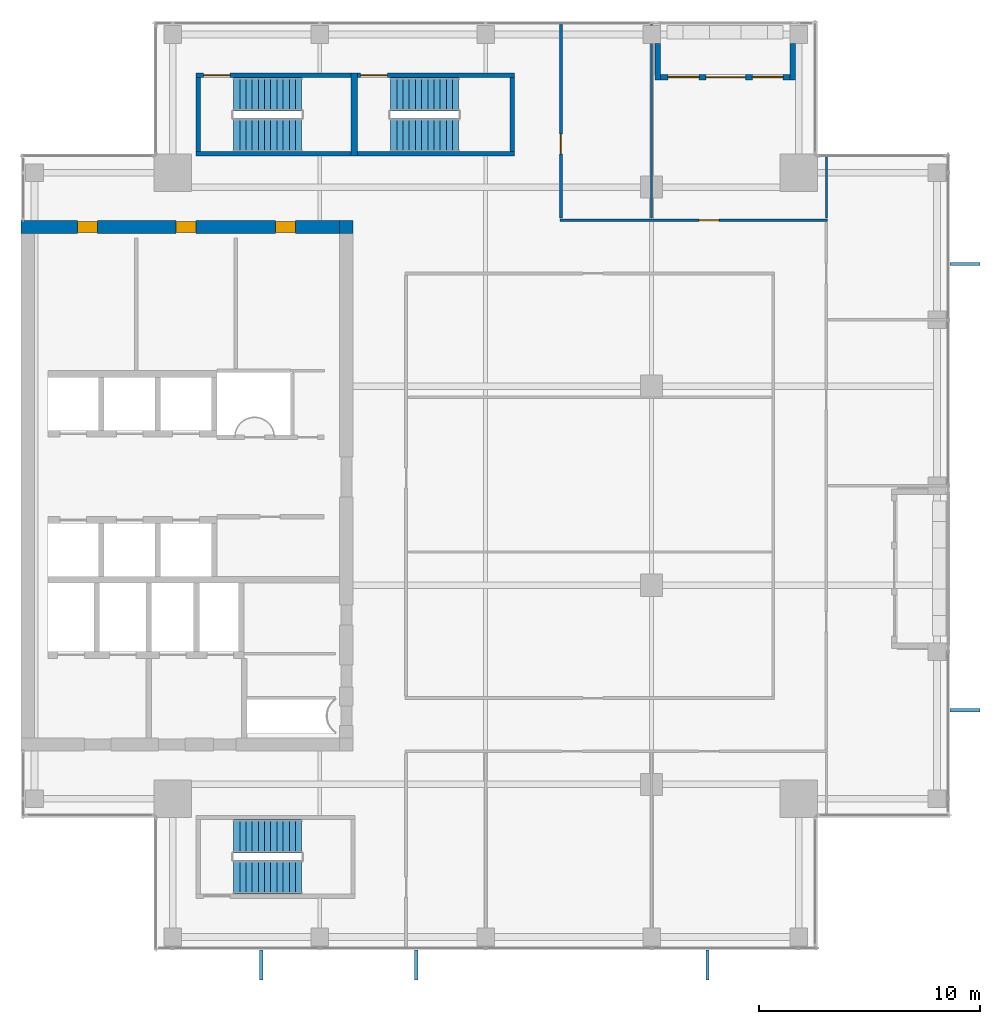
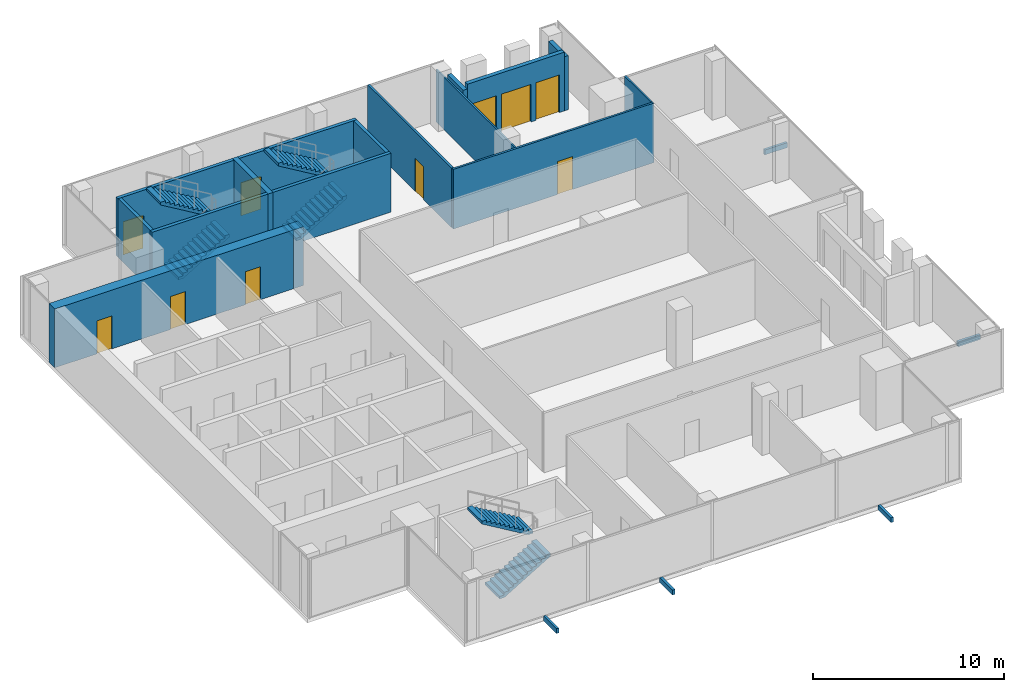
# One storey, part 26 of 29: 16 walls, 8 doors, 6 stair flights, 5 discrete accessories, 2 windows, 10 openings, 3 elements without a shape of their own.
"""IFC4 building model written with IfcOpenShell, lengths in metres."""

from ifc_helpers import new_model, si_unit, direction, frame, frame_2d, origin, origin_2d, place, context, subcontext, project, spatial, polyline, rectangle, outline, extrude, source, transform, mapped, material, layer, layer_set, type_object, element, fill, aggregate, save


model = new_model("IFC4")

# Units and contexts
model_context = context("Model", 3, precision=1e-05, world=origin(), true_north=direction((0.0, 1.0)))
body_context = subcontext(model_context, "Body", "Model", "MODEL_VIEW")
ifc_project = project(units=[si_unit("LENGTHUNIT", "METRE"), si_unit("AREAUNIT", "SQUARE_METRE"), si_unit("VOLUMEUNIT", "CUBIC_METRE"), si_unit("PLANEANGLEUNIT", "RADIAN"), si_unit("MASSUNIT", "GRAM", prefix="KILO")], contexts=[model_context])

# Site, building, storey
site_placement = place(None, origin())
site = spatial("IfcSite", under=ifc_project, at=site_placement, CompositionType="ELEMENT")
building_placement = place(site_placement, origin())
building = spatial("IfcBuilding", under=site, at=building_placement, Name="Khomas Fold Tower", CompositionType="ELEMENT")
storey_placement = place(building_placement, frame((0.0, 0.0, 290.199951171875)))
storey = spatial("IfcBuildingStorey", under=building, at=storey_placement, Name="L65", CompositionType="ELEMENT", Elevation=290.199951171875)

# Wall, opening, door
ifc_material_1 = material(Name="Concrete C50/60", Category="concrete")
ifc_layer_1 = layer(ifc_material_1, 0.199951171875)
ifc_layer_set_1 = layer_set([ifc_layer_1], Name="Concrete C50/60")
wall_type_1 = type_object("IfcWallType", Name="Stair wall 200", PredefinedType="SHEAR", material=ifc_layer_set_1)
shared_shape_1 = source(origin(), body_context, "Body", "SweptSolid", [
    extrude(rectangle(XDim=7.0, YDim=0.199951171875, at=frame_2d((3.5, 0.0))), origin(), (0.0, 0.0, 1.0), 3.75),
])
wall_1_placement = place(storey_placement, frame((13.89990234375, 45.550048828125, 0.0), z_axis=(0.0, 0.0, 1.0), x_axis=(1.0, 0.0, 0.0)))
wall_1 = element("IfcWall", 1, at=wall_1_placement, inside=storey, type_object=wall_type_1, Name="Stair wall SW-ST1-N", PredefinedType="SHEAR", context=body_context, shape_type="MappedRepresentation", body=[
    mapped(shared_shape_1, transform((0.0, 0.0, 0.0))),
])
shared_shape_2 = source(origin(), body_context, "Body", "SweptSolid", [
    extrude(rectangle(XDim=1.199951171875, YDim=2.10009765625, at=frame_2d((0.60009765625, 1.050048828125))), frame((0.0, 0.10986328125, 0.0), z_axis=(0.0, -1.0, 0.0), x_axis=(1.0, 0.0, 0.0)), (0.0, 0.0, 1.0), 0.219970703125),
])
opening_1_placement = place(wall_1_placement, frame((0.35009765625, 0.0, 0.0)))
opening_1 = element("IfcOpeningElement", 2, at=opening_1_placement, cuts=wall_1, Name="Opening SD-ST1", PredefinedType="OPENING", context=body_context, shape_type="MappedRepresentation", body=[
    mapped(shared_shape_2, transform((0.0, 0.0, 0.0))),
])
ifc_material_2 = material(Name="Steel door leaf", Category="steel")
door_type_1 = type_object("IfcDoorType", Name="Stair door 1200x2100 left-hand", OperationType="SINGLE_SWING_LEFT", PredefinedType="DOOR", material=ifc_material_2)
shared_shape_3 = source(origin(), body_context, "Body", "SweptSolid", [
    extrude(rectangle(XDim=1.199951171875, YDim=2.10009765625, at=frame_2d((0.60009765625, 1.050048828125))), frame((0.0, 0.02490234375, 0.0), z_axis=(0.0, -1.0, 0.0), x_axis=(1.0, 0.0, 0.0)), (0.0, 0.0, 1.0), 0.050048828125),
])
door_1_placement = place(opening_1_placement, origin())
door_1 = element("IfcDoor", 3, at=door_1_placement, inside=storey, type_object=door_type_1, Name="Stair door", OperationType="SINGLE_SWING_LEFT", OverallHeight=2.10009765625, OverallWidth=1.199951171875, PredefinedType="DOOR", context=body_context, shape_type="MappedRepresentation", body=[
    mapped(shared_shape_3, transform((0.0, 0.0, 0.0))),
])
fill(opening_1, door_1)

# Wall
wall_2_placement = place(storey_placement, frame((13.89990234375, 42.0, 0.0), z_axis=(0.0, 0.0, 1.0), x_axis=(1.0, 0.0, 0.0)))
element("IfcWall", 4, at=wall_2_placement, inside=storey, type_object=wall_type_1, Name="Stair wall SW-ST1-S", PredefinedType="SHEAR", context=body_context, shape_type="MappedRepresentation", body=[
    mapped(shared_shape_1, transform((0.0, 0.0, 0.0))),
])

# Wall, opening, door
shared_shape_4 = source(origin(), body_context, "Body", "SweptSolid", [
    extrude(rectangle(XDim=7.10009765625, YDim=0.199951171875, at=frame_2d((3.550048828125, 0.0))), origin(), (0.0, 0.0, 1.0), 3.75),
])
wall_3_placement = place(storey_placement, frame((21.199951171875, 45.550048828125, 0.0), z_axis=(0.0, 0.0, 1.0), x_axis=(1.0, 0.0, 0.0)))
wall_3 = element("IfcWall", 5, at=wall_3_placement, inside=storey, type_object=wall_type_1, Name="Stair wall SW-ST3-N", PredefinedType="SHEAR", context=body_context, shape_type="MappedRepresentation", body=[
    mapped(shared_shape_4, transform((0.0, 0.0, 0.0))),
])
opening_2_placement = place(wall_3_placement, frame((0.14990234375, 0.0, 0.0)))
opening_2 = element("IfcOpeningElement", 6, at=opening_2_placement, cuts=wall_3, Name="Opening SD-ST3", PredefinedType="OPENING", context=body_context, shape_type="MappedRepresentation", body=[
    mapped(shared_shape_2, transform((0.0, 0.0, 0.0))),
])
door_2_placement = place(opening_2_placement, origin())
door_2 = element("IfcDoor", 7, at=door_2_placement, inside=storey, type_object=door_type_1, Name="Stair door", OperationType="SINGLE_SWING_LEFT", OverallHeight=2.10009765625, OverallWidth=1.199951171875, PredefinedType="DOOR", context=body_context, shape_type="MappedRepresentation", body=[
    mapped(shared_shape_3, transform((0.0, 0.0, 0.0))),
])
fill(opening_2, door_2)

# Walls
wall_4_placement = place(storey_placement, frame((21.199951171875, 42.0, 0.0), z_axis=(0.0, 0.0, 1.0), x_axis=(1.0, 0.0, 0.0)))
element("IfcWall", 8, at=wall_4_placement, inside=storey, type_object=wall_type_1, Name="Stair wall SW-ST3-S", PredefinedType="SHEAR", context=body_context, shape_type="MappedRepresentation", body=[
    mapped(shared_shape_4, transform((0.0, 0.0, 0.0))),
])
ifc_material_3 = material(Name="Concrete C50/60", Category="concrete")
ifc_layer_2 = layer(ifc_material_3, 0.300048828125)
ifc_layer_set_2 = layer_set([ifc_layer_2], Name="Concrete C50/60")
wall_type_2 = type_object("IfcWallType", Name="Stair wall 300", PredefinedType="SHEAR", material=ifc_layer_set_2)
shared_shape_5 = source(origin(), body_context, "Body", "SweptSolid", [
    extrude(rectangle(XDim=3.75, YDim=0.300048828125, at=frame_2d((1.875, 0.0))), origin(), (0.0, 0.0, 1.0), 3.75),
])
wall_5_placement = place(storey_placement, frame((21.050048828125, 41.89990234375, 0.0), z_axis=(0.0, 0.0, 1.0), x_axis=(0.0, 1.0, 0.0)))
element("IfcWall", 9, at=wall_5_placement, inside=storey, type_object=wall_type_2, Name="Stair wall SW-ST1-E", PredefinedType="SHEAR", context=body_context, shape_type="MappedRepresentation", body=[
    mapped(shared_shape_5, transform((0.0, 0.0, 0.0))),
])
shared_shape_6 = source(origin(), body_context, "Body", "SweptSolid", [
    extrude(rectangle(XDim=3.349853515625, YDim=0.199951171875, at=frame_2d((1.6748046875, 0.0))), origin(), (0.0, 0.0, 1.0), 3.75),
])
for number, where, z_axis, x_axis, name in (
    (10, (14.0, 42.10009765625, 0.0), (0.0, 0.0, 1.0), (0.0, 1.0, 0.0), "Stair wall SW-ST1-W"),
    (11, (28.199951171875, 42.10009765625, 0.0), (0.0, 0.0, 1.0), (0.0, 1.0, 0.0), "Stair wall SW-ST3-E"),
):
    element("IfcWall", number, at=place(storey_placement, frame(where, z_axis=z_axis, x_axis=x_axis)), inside=storey, type_object=wall_type_1, Name=name, PredefinedType="SHEAR", context=body_context, shape_type="MappedRepresentation", body=[
        mapped(shared_shape_6, transform((0.0, 0.0, 0.0))),
    ])

# Wall, openings, doors
ifc_material_4 = material(Name="Concrete C50/60", Category="concrete")
ifc_layer_3 = layer(ifc_material_4, 0.60009765625)
ifc_layer_set_3 = layer_set([ifc_layer_3], Name="Concrete C50/60")
wall_type_3 = type_object("IfcWallType", Name="Core wall 600", PredefinedType="SHEAR", material=ifc_layer_set_3)
shared_shape_7 = source(origin(), body_context, "Body", "SweptSolid", [
    extrude(rectangle(XDim=14.39990234375, YDim=0.60009765625, at=frame_2d((7.199951171875, 0.0))), origin(), (0.0, 0.0, 1.0), 3.75),
])
wall_6_placement = place(storey_placement, frame((6.0, 38.699951171875, 0.0), z_axis=(0.0, 0.0, 1.0), x_axis=(1.0, 0.0, 0.0)))
wall_6 = element("IfcWall", 12, at=wall_6_placement, inside=storey, type_object=wall_type_3, Name="Core wall CW-U-N-L63", PredefinedType="SHEAR", context=body_context, shape_type="MappedRepresentation", body=[
    mapped(shared_shape_7, transform((0.0, 0.0, 0.0))),
])
shared_shape_8 = source(origin(), body_context, "Body", "SweptSolid", [
    extrude(rectangle(XDim=0.89990234375, YDim=2.10009765625, at=frame_2d((0.449951171875, 1.050048828125))), frame((0.0, 0.31005859375, 0.0), z_axis=(0.0, -1.0, 0.0), x_axis=(1.0, 0.0, 0.0)), (0.0, 0.0, 1.0), 0.6201171875),
])
opening_3_placement = place(wall_6_placement, frame((2.550048828125, 0.0, 0.0)))
opening_3 = element("IfcOpeningElement", 13, at=opening_3_placement, cuts=wall_6, Name="Opening 0003", PredefinedType="OPENING", context=body_context, shape_type="MappedRepresentation", body=[
    mapped(shared_shape_8, transform((0.0, 0.0, 0.0))),
])
opening_4_placement = place(wall_6_placement, frame((7.0, 0.0, 0.0)))
opening_4 = element("IfcOpeningElement", 14, at=opening_4_placement, cuts=wall_6, Name="Opening 0003", PredefinedType="OPENING", context=body_context, shape_type="MappedRepresentation", body=[
    mapped(shared_shape_8, transform((0.0, 0.0, 0.0))),
])
opening_5_placement = place(wall_6_placement, frame((11.5, 0.0, 0.0)))
opening_5 = element("IfcOpeningElement", 15, at=opening_5_placement, cuts=wall_6, Name="Opening 0008", PredefinedType="OPENING", context=body_context, shape_type="MappedRepresentation", body=[
    mapped(shared_shape_8, transform((0.0, 0.0, 0.0))),
])
ifc_material_5 = material(Name="Steel door leaf", Category="steel")
door_type_2 = type_object("IfcDoorType", Name="Plant room door 900x2100 right-hand", OperationType="SINGLE_SWING_RIGHT", PredefinedType="DOOR", material=ifc_material_5)
shared_shape_9 = source(origin(), body_context, "Body", "SweptSolid", [
    extrude(rectangle(XDim=0.89990234375, YDim=2.10009765625, at=frame_2d((0.449951171875, 1.050048828125))), frame((0.0, 0.25, 0.0), z_axis=(0.0, -1.0, 0.0), x_axis=(1.0, 0.0, 0.0)), (0.0, 0.0, 1.0), 0.5),
])
door_3_placement = place(opening_3_placement, origin())
door_3 = element("IfcDoor", 16, at=door_3_placement, inside=storey, type_object=door_type_2, Name="Plant room door", OperationType="SINGLE_SWING_RIGHT", OverallHeight=2.10009765625, OverallWidth=0.89990234375, PredefinedType="DOOR", context=body_context, shape_type="MappedRepresentation", body=[
    mapped(shared_shape_9, transform((0.0, 0.0, 0.0))),
])
fill(opening_3, door_3)
door_4_placement = place(opening_4_placement, origin())
door_4 = element("IfcDoor", 17, at=door_4_placement, inside=storey, type_object=door_type_2, Name="Plant room door", OperationType="SINGLE_SWING_RIGHT", OverallHeight=2.10009765625, OverallWidth=0.89990234375, PredefinedType="DOOR", context=body_context, shape_type="MappedRepresentation", body=[
    mapped(shared_shape_9, transform((0.0, 0.0, 0.0))),
])
fill(opening_4, door_4)
ifc_material_6 = material(Name="Timber door leaf", Category="wood")
door_type_3 = type_object("IfcDoorType", Name="Door 900x2100 right-hand", OperationType="SINGLE_SWING_RIGHT", PredefinedType="DOOR", material=ifc_material_6)
door_5_placement = place(opening_5_placement, origin())
door_5 = element("IfcDoor", 18, at=door_5_placement, inside=storey, type_object=door_type_3, Name="Door", OperationType="SINGLE_SWING_RIGHT", OverallHeight=2.10009765625, OverallWidth=0.89990234375, PredefinedType="DOOR", context=body_context, shape_type="MappedRepresentation", body=[
    mapped(shared_shape_9, transform((0.0, 0.0, 0.0))),
])
fill(opening_5, door_5)

# Wall
ifc_material_7 = material(Name="Concrete C50/60", Category="concrete")
ifc_layer_4 = layer(ifc_material_7, 0.60009765625)
ifc_layer_set_4 = layer_set([ifc_layer_4], Name="Concrete C50/60")
wall_type_4 = type_object("IfcWallType", Name="Core corner wall 600", PredefinedType="SHEAR", material=ifc_layer_set_4)
shared_shape_10 = source(origin(), body_context, "Body", "SweptSolid", [
    extrude(rectangle(XDim=0.60009765625, YDim=0.60009765625, at=frame_2d((0.300048828125, 0.0))), origin(), (0.0, 0.0, 1.0), 3.75),
])
wall_7_placement = place(storey_placement, frame((20.39990234375, 38.699951171875, 0.0), z_axis=(0.0, 0.0, 1.0), x_axis=(1.0, 0.0, 0.0)))
element("IfcWall", 19, at=wall_7_placement, inside=storey, type_object=wall_type_4, Name="Core wall CW-U-NE-L63", PredefinedType="SHEAR", context=body_context, shape_type="MappedRepresentation", body=[
    mapped(shared_shape_10, transform((0.0, 0.0, 0.0))),
])

# Wall, openings, door, windows
ifc_material_8 = material(Name="Natural stone", Category="masonry")
ifc_layer_5 = layer(ifc_material_8, 0.0400390625)
ifc_material_9 = material(Name="Mineral wool insulation", Category="insulation")
ifc_layer_6 = layer(ifc_material_9, 0.10009765625)
ifc_material_10 = material(Name="Masonry", Category="masonry")
ifc_layer_7 = layer(ifc_material_10, 0.110107421875)
ifc_layer_set_5 = layer_set([ifc_layer_5, ifc_layer_6, ifc_layer_7], Name="Stone-faced insulated masonry")
wall_type_5 = type_object("IfcWallType", Name="BL-Balcony wall", PredefinedType="SOLIDWALL", material=ifc_layer_set_5)
shared_shape_11 = source(origin(), body_context, "Body", "SweptSolid", [
    extrude(rectangle(XDim=5.85009765625, YDim=0.25, at=frame_2d((2.925048828125, 0.0))), origin(), (0.0, 0.0, 1.0), 3.75),
])
wall_8_placement = place(storey_placement, frame((34.89990234375, 45.47509765625, 0.0), z_axis=(0.0, 0.0, 1.0), x_axis=(1.0, 0.0, 0.0)))
wall_8 = element("IfcWall", 20, at=wall_8_placement, inside=storey, type_object=wall_type_5, Name="Balcony wall BAL-L65-N4", PredefinedType="SOLIDWALL", context=body_context, shape_type="MappedRepresentation", body=[
    mapped(shared_shape_11, transform((0.0, 0.0, 0.0))),
])
shared_shape_12 = source(origin(), body_context, "Body", "SweptSolid", [
    extrude(rectangle(XDim=1.39990234375, YDim=2.39990234375, at=frame_2d((0.699951171875, 1.199951171875))), frame((0.0, 0.135009765625, 0.0), z_axis=(0.0, -1.0, 0.0), x_axis=(1.0, 0.0, 0.0)), (0.0, 0.0, 1.0), 0.27001953125),
])
opening_6_placement = place(wall_8_placement, frame((0.35009765625, 0.0, 0.0)))
opening_6 = element("IfcOpeningElement", 21, at=opening_6_placement, cuts=wall_8, Name="Opening BL-W6", PredefinedType="OPENING", context=body_context, shape_type="MappedRepresentation", body=[
    mapped(shared_shape_12, transform((0.0, 0.0, 0.0))),
])
opening_7_placement = place(wall_8_placement, frame((4.14990234375, 0.0, 0.0)))
opening_7 = element("IfcOpeningElement", 22, at=opening_7_placement, cuts=wall_8, Name="Opening BL-W6", PredefinedType="OPENING", context=body_context, shape_type="MappedRepresentation", body=[
    mapped(shared_shape_12, transform((0.0, 0.0, 0.0))),
])
shared_shape_13 = source(origin(), body_context, "Body", "SweptSolid", [
    extrude(rectangle(XDim=1.800048828125, YDim=2.39990234375, at=frame_2d((0.89990234375, 1.199951171875))), frame((0.0, 0.135009765625, 0.0), z_axis=(0.0, -1.0, 0.0), x_axis=(1.0, 0.0, 0.0)), (0.0, 0.0, 1.0), 0.27001953125),
])
opening_8_placement = place(wall_8_placement, frame((2.050048828125, 0.0, 0.0)))
opening_8 = element("IfcOpeningElement", 23, at=opening_8_placement, cuts=wall_8, Name="Opening BD651", PredefinedType="OPENING", context=body_context, shape_type="MappedRepresentation", body=[
    mapped(shared_shape_13, transform((0.0, 0.0, 0.0))),
])
ifc_material_11 = material(Name="Aluminium framed double glazing", Category="aluminium")
door_type_4 = type_object("IfcDoorType", Name="BL-Glazed balcony door 1800 x 2400", OperationType="DOUBLE_DOOR_DOUBLE_SWING", PredefinedType="DOOR", material=ifc_material_11)
shared_shape_14 = source(origin(), body_context, "Body", "SweptSolid", [
    extrude(rectangle(XDim=1.800048828125, YDim=2.39990234375, at=frame_2d((0.89990234375, 1.199951171875))), frame((0.0, 0.02490234375, 0.0), z_axis=(0.0, -1.0, 0.0), x_axis=(1.0, 0.0, 0.0)), (0.0, 0.0, 1.0), 0.050048828125),
])
door_6_placement = place(opening_8_placement, origin())
door_6 = element("IfcDoor", 24, at=door_6_placement, inside=storey, type_object=door_type_4, Name="Balcony door BD651", OperationType="DOUBLE_DOOR_DOUBLE_SWING", OverallHeight=2.39990234375, OverallWidth=1.800048828125, PredefinedType="DOOR", context=body_context, shape_type="MappedRepresentation", body=[
    mapped(shared_shape_14, transform((0.0, 0.0, 0.0))),
])
fill(opening_8, door_6)
ifc_material_12 = material(Name="Aluminium framed double glazing", Category="aluminium")
window_type = type_object("IfcWindowType", Name="BL-Fixed glazing 1400 x 2400", PartitioningType="SINGLE_PANEL", PredefinedType="WINDOW", material=ifc_material_12)
shared_shape_15 = source(origin(), body_context, "Body", "SweptSolid", [
    extrude(rectangle(XDim=1.39990234375, YDim=2.39990234375, at=frame_2d((0.699951171875, 1.199951171875))), frame((0.0, 0.030029296875, 0.0), z_axis=(0.0, -1.0, 0.0), x_axis=(1.0, 0.0, 0.0)), (0.0, 0.0, 1.0), 0.06005859375),
])
window_1_placement = place(opening_6_placement, origin())
window_1 = element("IfcWindow", 25, at=window_1_placement, inside=storey, type_object=window_type, Name="Balcony glazing BAL-L65-N4-1", OverallHeight=2.39990234375, OverallWidth=1.39990234375, PartitioningType="SINGLE_PANEL", PredefinedType="WINDOW", context=body_context, shape_type="MappedRepresentation", body=[
    mapped(shared_shape_15, transform((0.0, 0.0, 0.0))),
])
fill(opening_6, window_1)
window_2_placement = place(opening_7_placement, origin())
window_2 = element("IfcWindow", 26, at=window_2_placement, inside=storey, type_object=window_type, Name="Balcony glazing BAL-L65-N4-2", OverallHeight=2.39990234375, OverallWidth=1.39990234375, PartitioningType="SINGLE_PANEL", PredefinedType="WINDOW", context=body_context, shape_type="MappedRepresentation", body=[
    mapped(shared_shape_15, transform((0.0, 0.0, 0.0))),
])
fill(opening_7, window_2)

# Walls
shared_shape_16 = source(origin(), body_context, "Body", "SweptSolid", [
    extrude(rectangle(XDim=1.64990234375, YDim=0.25, at=frame_2d((0.824951171875, 0.0))), origin(), (0.0, 0.0, 1.0), 3.449951171875),
])
for number, where, z_axis, x_axis, name in (
    (27, (34.77490234375, 47.0, 0.0), (0.0, 0.0, 1.0), (0.0, -1.0, 0.0), "Balcony return wall BAL-L65-N4-lo"),
    (28, (40.875, 47.0, 0.0), (0.0, 0.0, 1.0), (0.0, -1.0, 0.0), "Balcony return wall BAL-L65-N4-hi"),
):
    element("IfcWall", number, at=place(storey_placement, frame(where, z_axis=z_axis, x_axis=x_axis)), inside=storey, type_object=wall_type_5, Name=name, PredefinedType="SOLIDWALL", context=body_context, shape_type="MappedRepresentation", body=[
        mapped(shared_shape_16, transform((0.0, 0.0, 0.0))),
    ])

# Wall, opening, door
ifc_material_13 = material(Name="Plasterboard partition")
ifc_layer_8 = layer(ifc_material_13, 0.125)
ifc_layer_set_6 = layer_set([ifc_layer_8], Name="Plasterboard partition")
wall_type_6 = type_object("IfcWallType", Name="Partition PW2 125", PredefinedType="PARTITIONING", material=ifc_layer_set_6)
shared_shape_17 = source(origin(), body_context, "Body", "SweptSolid", [
    extrude(rectangle(XDim=8.75, YDim=0.125, at=frame_2d((4.375, 0.0))), origin(), (0.0, 0.0, 1.0), 3.800048828125),
])
wall_9_placement = place(storey_placement, frame((30.39990234375, 39.10009765625, 0.0), z_axis=(0.0, 0.0, 1.0), x_axis=(0.0, 1.0, 0.0)))
wall_9 = element("IfcWall", 29, at=wall_9_placement, inside=storey, type_object=wall_type_6, Name="Partition", PredefinedType="PARTITIONING", context=body_context, shape_type="MappedRepresentation", body=[
    mapped(shared_shape_17, transform((0.0, 0.0, 0.0))),
])
shared_shape_18 = source(origin(), body_context, "Body", "SweptSolid", [
    extrude(rectangle(XDim=0.89990234375, YDim=2.10009765625, at=frame_2d((0.449951171875, 1.050048828125))), frame((0.0, 0.072509765625, 0.0), z_axis=(0.0, -1.0, 0.0), x_axis=(1.0, 0.0, 0.0)), (0.0, 0.0, 1.0), 0.14501953125),
])
opening_9_placement = place(wall_9_placement, frame((2.89990234375, 0.0, 0.0)))
opening_9 = element("IfcOpeningElement", 30, at=opening_9_placement, cuts=wall_9, Name="Opening 0008", PredefinedType="OPENING", context=body_context, shape_type="MappedRepresentation", body=[
    mapped(shared_shape_18, transform((0.0, 0.0, 0.0))),
])
shared_shape_19 = source(origin(), body_context, "Body", "SweptSolid", [
    extrude(rectangle(XDim=0.89990234375, YDim=2.10009765625, at=frame_2d((0.449951171875, 1.050048828125))), frame((0.0, 0.02490234375, 0.0), z_axis=(0.0, -1.0, 0.0), x_axis=(1.0, 0.0, 0.0)), (0.0, 0.0, 1.0), 0.050048828125),
])
door_7_placement = place(opening_9_placement, origin())
door_7 = element("IfcDoor", 31, at=door_7_placement, inside=storey, type_object=door_type_3, Name="Door", OperationType="SINGLE_SWING_RIGHT", OverallHeight=2.10009765625, OverallWidth=0.89990234375, PredefinedType="DOOR", context=body_context, shape_type="MappedRepresentation", body=[
    mapped(shared_shape_19, transform((0.0, 0.0, 0.0))),
])
fill(opening_9, door_7)

# Walls
ifc_material_14 = material(Name="Plasterboard partition")
ifc_layer_9 = layer(ifc_material_14, 0.10009765625)
ifc_layer_set_7 = layer_set([ifc_layer_9], Name="Plasterboard partition")
wall_type_7 = type_object("IfcWallType", Name="Partition PW1 100", PredefinedType="PARTITIONING", material=ifc_layer_set_7)
shared_shape_20 = source(origin(), body_context, "Body", "SweptSolid", [
    extrude(rectangle(XDim=8.75, YDim=0.10009765625, at=frame_2d((4.375, 0.0))), origin(), (0.0, 0.0, 1.0), 3.35009765625),
])
wall_10_placement = place(storey_placement, frame((34.5, 39.10009765625, 0.0), z_axis=(0.0, 0.0, 1.0), x_axis=(0.0, 1.0, 0.0)))
element("IfcWall", 32, at=wall_10_placement, inside=storey, type_object=wall_type_7, Name="Partition", PredefinedType="PARTITIONING", context=body_context, shape_type="MappedRepresentation", body=[
    mapped(shared_shape_20, transform((0.0, 0.0, 0.0))),
])
shared_shape_21 = source(origin(), body_context, "Body", "SweptSolid", [
    extrude(rectangle(XDim=2.75, YDim=0.10009765625, at=frame_2d((1.375, 0.0))), origin(), (0.0, 0.0, 1.0), 3.800048828125),
])
wall_11_placement = place(storey_placement, frame((42.39990234375, 39.10009765625, 0.0), z_axis=(0.0, 0.0, 1.0), x_axis=(0.0, 1.0, 0.0)))
element("IfcWall", 33, at=wall_11_placement, inside=storey, type_object=wall_type_7, Name="Partition", PredefinedType="PARTITIONING", context=body_context, shape_type="MappedRepresentation", body=[
    mapped(shared_shape_21, transform((0.0, 0.0, 0.0))),
])

# Wall, opening, door
shared_shape_22 = source(origin(), body_context, "Body", "SweptSolid", [
    extrude(rectangle(XDim=12.099853515625, YDim=0.125, at=frame_2d((6.0498046875, 0.0))), origin(), (0.0, 0.0, 1.0), 3.800048828125),
])
wall_12_placement = place(storey_placement, frame((30.35009765625, 39.0, 0.0), z_axis=(0.0, 0.0, 1.0), x_axis=(1.0, 0.0, 0.0)))
wall_12 = element("IfcWall", 34, at=wall_12_placement, inside=storey, type_object=wall_type_6, Name="Partition", PredefinedType="PARTITIONING", context=body_context, shape_type="MappedRepresentation", body=[
    mapped(shared_shape_22, transform((0.0, 0.0, 0.0))),
])
opening_10_placement = place(wall_12_placement, frame((6.300048828125, 0.0, 0.0)))
opening_10 = element("IfcOpeningElement", 35, at=opening_10_placement, cuts=wall_12, Name="Opening 0008", PredefinedType="OPENING", context=body_context, shape_type="MappedRepresentation", body=[
    mapped(shared_shape_18, transform((0.0, 0.0, 0.0))),
])
door_8_placement = place(opening_10_placement, origin())
door_8 = element("IfcDoor", 36, at=door_8_placement, inside=storey, type_object=door_type_3, Name="Door", OperationType="SINGLE_SWING_RIGHT", OverallHeight=2.10009765625, OverallWidth=0.89990234375, PredefinedType="DOOR", context=body_context, shape_type="MappedRepresentation", body=[
    mapped(shared_shape_19, transform((0.0, 0.0, 0.0))),
])
fill(opening_10, door_8)

# Stair, stair flights
ifc_material_15 = material(Name="Concrete C40/50", Category="concrete")
stair_type_1 = type_object("IfcStairType", Name="Stair ST1", PredefinedType="HALF_TURN_STAIR", material=ifc_material_15)
stair_1_placement = place(storey_placement, origin())
stair_1 = element("IfcStair", 37, at=stair_1_placement, inside=storey, type_object=stair_type_1, Name="L65 ST1", PredefinedType="HALF_TURN_STAIR")
ifc_material_16 = material(Name="Concrete C40/50", Category="concrete")
stair_flight_type_1 = type_object("IfcStairFlightType", Name="Stair flight 1500 ST1", PredefinedType="STRAIGHT", material=ifc_material_16)
shared_shape_23 = source(origin(), body_context, "Body", "SweptSolid", [
    extrude(outline(polyline([(0.0, 0.0), (0.0, 0.012939453125), (0.0, 0.025634765625), (0.0, 0.03857421875), (0.0, 0.05126953125), (0.0, 0.064208984375), (0.0, 0.076904296875), (0.0, 0.08984375), (0.0, 0.1025390625), (0.0, 0.115478515625), (0.0, 0.128173828125), (0.0, 0.14111328125), (0.0, 0.15380859375), (0.0, 0.166748046875), (0.280029296875, 0.166748046875), (0.280029296875, 0.333251953125), (0.56005859375, 0.333251953125), (0.56005859375, 0.5), (0.840087890625, 0.5), (0.840087890625, 0.666748046875), (1.1201171875, 0.666748046875), (1.1201171875, 0.833251953125), (1.39990234375, 0.833251953125), (1.39990234375, 1.0), (1.679931640625, 1.0), (1.679931640625, 1.166748046875), (1.9599609375, 1.166748046875), (1.9599609375, 1.333251953125), (2.239990234375, 1.333251953125), (2.239990234375, 1.5), (2.52001953125, 1.5), (2.52001953125, 1.666748046875), (2.800048828125, 1.666748046875), (2.800048828125, 1.833251953125), (3.080078125, 1.833251953125), (3.080078125, 2.0), (3.080078125, 1.973876953125), (3.080078125, 1.947509765625), (3.080078125, 1.92138671875), (3.080078125, 1.89501953125), (3.080078125, 1.868896484375), (3.080078125, 1.842529296875), (3.080078125, 1.81640625), (3.080078125, 1.7900390625), (3.080078125, 1.763916015625), (3.080078125, 1.737548828125), (3.080078125, 1.71142578125), (3.080078125, 1.68505859375), (3.080078125, 1.658935546875), (0.29296875, 0.0), (0.0, 0.0)])), frame((0.0, 0.75, 0.0), z_axis=(0.0, -1.0, 0.0), x_axis=(1.0, 0.0, 0.0)), (0.0, 0.0, 1.0), 1.5),
])
stair_flight_1_placement = place(storey_placement, frame((15.60009765625, 42.85009765625, 0.0), z_axis=(0.0, 0.0, 1.0), x_axis=(1.0, 0.0, 0.0)))
stair_flight_1 = element("IfcStairFlight", 38, at=stair_flight_1_placement, type_object=stair_flight_type_1, Name="ST1 flight 1", NumberOfRisers=12, NumberOfTreads=11, PredefinedType="STRAIGHT", RiserHeight=0.166666667, TreadLength=0.28, context=body_context, shape_type="MappedRepresentation", body=[
    mapped(shared_shape_23, transform((0.0, 0.0, 0.0))),
])
stair_flight_2_placement = place(storey_placement, frame((18.679931640625, 44.699951171875, 2.0), z_axis=(0.0, 0.0, 1.0), x_axis=(-1.0, 0.0, 0.0)))
stair_flight_2 = element("IfcStairFlight", 39, at=stair_flight_2_placement, type_object=stair_flight_type_1, Name="ST1 flight 2", NumberOfRisers=12, NumberOfTreads=11, PredefinedType="STRAIGHT", RiserHeight=0.166666667, TreadLength=0.28, context=body_context, shape_type="MappedRepresentation", body=[
    mapped(shared_shape_23, transform((0.0, 0.0, 0.0))),
])
aggregate(stair_1, [stair_flight_1, stair_flight_2])

ifc_material_17 = material(Name="Concrete C40/50", Category="concrete")
stair_type_2 = type_object("IfcStairType", Name="Stair ST2", PredefinedType="HALF_TURN_STAIR", material=ifc_material_17)
stair_2_placement = place(storey_placement, origin())
stair_2 = element("IfcStair", 40, at=stair_2_placement, inside=storey, type_object=stair_type_2, Name="L65 ST2", PredefinedType="HALF_TURN_STAIR")
ifc_material_18 = material(Name="Concrete C40/50", Category="concrete")
stair_flight_type_2 = type_object("IfcStairFlightType", Name="Stair flight 1500 ST2", PredefinedType="STRAIGHT", material=ifc_material_18)
stair_flight_3_placement = place(storey_placement, frame((15.60009765625, 9.300048828125, 0.0), z_axis=(0.0, 0.0, 1.0), x_axis=(1.0, 0.0, 0.0)))
stair_flight_3 = element("IfcStairFlight", 41, at=stair_flight_3_placement, type_object=stair_flight_type_2, Name="ST2 flight 1", NumberOfRisers=12, NumberOfTreads=11, PredefinedType="STRAIGHT", RiserHeight=0.166666667, TreadLength=0.28, context=body_context, shape_type="MappedRepresentation", body=[
    mapped(shared_shape_23, transform((0.0, 0.0, 0.0))),
])
stair_flight_4_placement = place(storey_placement, frame((18.679931640625, 11.14990234375, 2.0), z_axis=(0.0, 0.0, 1.0), x_axis=(-1.0, 0.0, 0.0)))
stair_flight_4 = element("IfcStairFlight", 42, at=stair_flight_4_placement, type_object=stair_flight_type_2, Name="ST2 flight 2", NumberOfRisers=12, NumberOfTreads=11, PredefinedType="STRAIGHT", RiserHeight=0.166666667, TreadLength=0.28, context=body_context, shape_type="MappedRepresentation", body=[
    mapped(shared_shape_23, transform((0.0, 0.0, 0.0))),
])
aggregate(stair_2, [stair_flight_3, stair_flight_4])

ifc_material_19 = material(Name="Concrete C40/50", Category="concrete")
stair_type_3 = type_object("IfcStairType", Name="Stair ST3", PredefinedType="HALF_TURN_STAIR", material=ifc_material_19)
stair_3_placement = place(storey_placement, origin())
stair_3 = element("IfcStair", 43, at=stair_3_placement, inside=storey, type_object=stair_type_3, Name="L65 ST3", PredefinedType="HALF_TURN_STAIR")
ifc_material_20 = material(Name="Concrete C40/50", Category="concrete")
stair_flight_type_3 = type_object("IfcStairFlightType", Name="Stair flight 1500 ST3", PredefinedType="STRAIGHT", material=ifc_material_20)
stair_flight_5_placement = place(storey_placement, frame((22.699951171875, 42.85009765625, 0.0), z_axis=(0.0, 0.0, 1.0), x_axis=(1.0, 0.0, 0.0)))
stair_flight_5 = element("IfcStairFlight", 44, at=stair_flight_5_placement, type_object=stair_flight_type_3, Name="ST3 flight 1", NumberOfRisers=12, NumberOfTreads=11, PredefinedType="STRAIGHT", RiserHeight=0.166666667, TreadLength=0.28, context=body_context, shape_type="MappedRepresentation", body=[
    mapped(shared_shape_23, transform((0.0, 0.0, 0.0))),
])
stair_flight_6_placement = place(storey_placement, frame((25.780029296875, 44.699951171875, 2.0), z_axis=(0.0, 0.0, 1.0), x_axis=(-1.0, 0.0, 0.0)))
stair_flight_6 = element("IfcStairFlight", 45, at=stair_flight_6_placement, type_object=stair_flight_type_3, Name="ST3 flight 2", NumberOfRisers=12, NumberOfTreads=11, PredefinedType="STRAIGHT", RiserHeight=0.166666667, TreadLength=0.28, context=body_context, shape_type="MappedRepresentation", body=[
    mapped(shared_shape_23, transform((0.0, 0.0, 0.0))),
])
aggregate(stair_3, [stair_flight_5, stair_flight_6])

# Discrete accessories
ifc_material_21 = material(Name="Stainless steel", Category="steel")
discrete_accessory_type = type_object("IfcDiscreteAccessoryType", Name="SK-Stainless steel stone bracket", PredefinedType="BRACKET", material=ifc_material_21)
shared_shape_24 = source(origin(), body_context, "Body", "SweptSolid", [
    extrude(rectangle(XDim=1.345947265625, YDim=0.14990234375, at=origin_2d()), origin(), (0.0, 0.0, 1.0), 0.31005859375),
])
for number, where, z_axis, x_axis, name in (
    (46, (16.849365234375, 5.3271484375, -0.25), (0.0, 0.0, 1.0), (0.0, -1.0, 0.0), "Stone bracket L65 SS03-1-3"),
    (47, (23.85791015625, 5.3271484375, -0.25), (0.0, 0.0, 1.0), (0.0, -1.0, 0.0), "Stone bracket L65 SS06-2-3"),
    (48, (37.025634765625, 5.3271484375, -0.25), (0.0, 0.0, 1.0), (0.0, -1.0, 0.0), "Stone bracket L65 SS12-4-3"),
    (49, (48.6728515625, 16.849365234375, -0.25), (0.0, 0.0, 1.0), (1.0, 0.0, 0.0), "Stone bracket L65 ES03-1-3"),
    (50, (48.6728515625, 37.025634765625, -0.25), (0.0, 0.0, 1.0), (1.0, 0.0, 0.0), "Stone bracket L65 ES12-3-3"),
):
    element("IfcDiscreteAccessory", number, at=place(storey_placement, frame(where, z_axis=z_axis, x_axis=x_axis)), inside=storey, type_object=discrete_accessory_type, Name=name, PredefinedType="BRACKET", context=body_context, shape_type="MappedRepresentation", body=[
        mapped(shared_shape_24, transform((0.0, 0.0, 0.0))),
    ])

save(model, "model.ifc")
